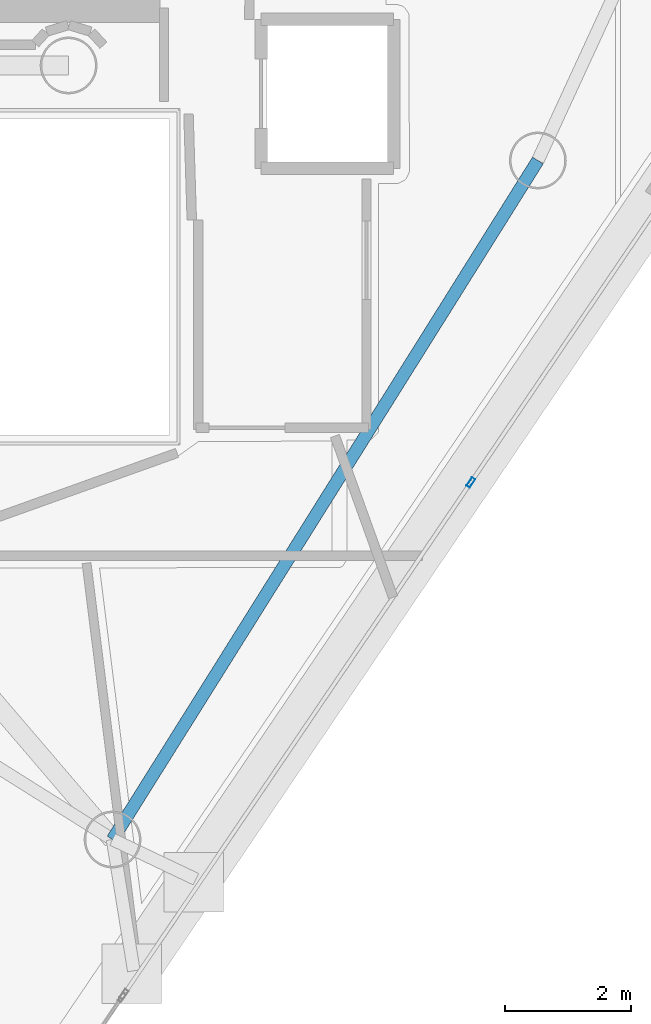
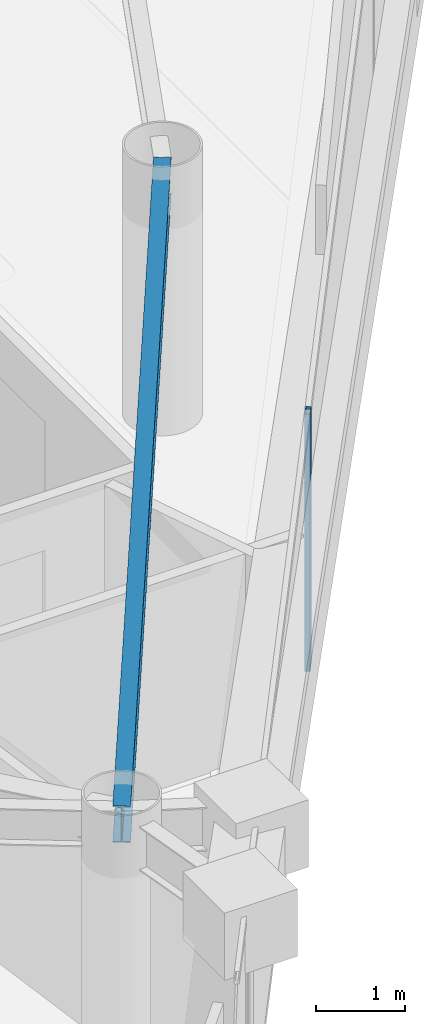
# One storey, part 6 of 23: 1 beam, 1 member, 1 element without a shape of its own.
"""IFC4 building model written with IfcOpenShell, lengths in metres."""

import ifcopenshell
import ifcopenshell.guid

model = None  # the IFC model being written
_history = None  # IfcOwnerHistory: only IFC2X3 demands one
_inside = {}  # id of a spatial element -> (the spatial element, [elements in it])
_under = {}  # id of a project, library or spatial element -> (it, [spatial elements below it])
_declared = {}  # id of a project -> (the project, [libraries it declares])
_typed = {}  # id of a type object -> (the type object, [elements of that type])
_made_of = {}  # id of a material, layer set ... -> (it, [elements and type objects made of it])


def new_model(schema):
    """Start an empty IFC model of exactly this schema.

    Asked for "IFC4X3", IfcOpenShell would pick the latest addendum, in which some entities
    have other attributes; the version numbers below select the first issue.
    IFC2X3 requires an IfcOwnerHistory on every rooted entity: one is made here for all.
    """
    global model, _history
    if schema == "IFC4X3":
        model = ifcopenshell.file(schema_version=(4, 3, 0, 0))
    else:
        model = ifcopenshell.file(schema=schema)
    _inside.clear()
    _under.clear()
    _declared.clear()
    _typed.clear()
    _made_of.clear()
    _history = None
    if model.schema == "IFC2X3":
        org = make("IfcOrganization", Name="unknown")
        user = make(
            "IfcPersonAndOrganization",
            ThePerson=make("IfcPerson", FamilyName="unknown"),
            TheOrganization=org,
        )
        app = make(
            "IfcApplication",
            ApplicationDeveloper=org,
            Version="unknown",
            ApplicationFullName="unknown",
            ApplicationIdentifier="unknown",
        )
        _history = make(
            "IfcOwnerHistory",
            OwningUser=user,
            OwningApplication=app,
            ChangeAction="ADDED",
            CreationDate=0,
        )
    return model


def make(cls, **values):
    """One entity of the class cls with the attributes given. An attribute that is None is left unset."""
    return model.create_entity(
        cls, **{name: value for name, value in values.items() if value is not None}
    )


def rooted(cls, **values):
    """An entity with a GlobalId (a new one), such as an element, a storey or a relation."""
    return make(cls, GlobalId=ifcopenshell.guid.new(), OwnerHistory=_history, **values)


def si_unit(unit_type, name, prefix=None):
    """IfcSIUnit, for example si_unit("LENGTHUNIT", "METRE", prefix="MILLI")."""
    return make("IfcSIUnit", UnitType=unit_type, Prefix=prefix, Name=name)


def assignment(units):
    """IfcUnitAssignment: the units of a project."""
    return None if units is None else make("IfcUnitAssignment", Units=units)


def point(xyz):
    """IfcCartesianPoint."""
    return None if xyz is None else make("IfcCartesianPoint", Coordinates=xyz)


def direction(xyz):
    """IfcDirection."""
    return None if xyz is None else make("IfcDirection", DirectionRatios=xyz)


def frame(location, z_axis=None, x_axis=None):
    """IfcAxis2Placement3D, a coordinate frame: its origin and axes. An axis left out is left unset."""
    return make(
        "IfcAxis2Placement3D",
        Location=point(location),
        Axis=direction(z_axis),
        RefDirection=direction(x_axis),
    )


def frame_2d(location, x_axis=None):
    """IfcAxis2Placement2D, a coordinate frame in the plane: its origin and x axis."""
    return make(
        "IfcAxis2Placement2D", Location=point(location), RefDirection=direction(x_axis)
    )


def origin():
    """The frame at (0, 0, 0) with its axes left unset."""
    return frame((0.0, 0.0, 0.0))


def origin_2d():
    """The frame at (0, 0) in the plane with its x axis left unset."""
    return frame_2d((0.0, 0.0))


def place(relative_to, where):
    """IfcLocalPlacement: puts the frame where relative to a parent placement (None: the world)."""
    return make(
        "IfcLocalPlacement", PlacementRelTo=relative_to, RelativePlacement=where
    )


def context(
    kind, dimensions, precision=None, world=None, true_north=None, identifier=None
):
    """IfcGeometricRepresentationContext, for example the 3D "Model" context."""
    return make(
        "IfcGeometricRepresentationContext",
        ContextIdentifier=identifier,
        ContextType=kind,
        CoordinateSpaceDimension=dimensions,
        Precision=precision,
        WorldCoordinateSystem=world,
        TrueNorth=true_north,
    )


def subcontext(parent, identifier, kind, view, scale=None):
    """IfcGeometricRepresentationSubContext, for example "Body" below "Model"."""
    return make(
        "IfcGeometricRepresentationSubContext",
        ContextIdentifier=identifier,
        ContextType=kind,
        ParentContext=parent,
        TargetScale=scale,
        TargetView=view,
    )


def project(units=None, contexts=None):
    """IfcProject with its units and contexts."""
    return rooted(
        "IfcProject",
        Name="project",
        RepresentationContexts=contexts,
        UnitsInContext=assignment(units),
    )


def spatial(cls, under=None, at=None, **own):
    """A site, building, storey or space (cls), placed at a placement, below another one or the project."""
    s = rooted(cls, ObjectPlacement=at, **own)
    if under is not None:
        _under.setdefault(under.id(), (under, []))[1].append(s)
    return s


def profile(cls, at=None, kind="AREA", **sizes):
    """A parametric profile (cls). Its sizes go by their IFC names, for example OverallWidth=200.0."""
    return make(cls, ProfileType=kind, Position=at, **sizes)


def hollow_rectangle(**sizes):
    """IfcRectangleHollowProfileDef."""
    return profile("IfcRectangleHollowProfileDef", **sizes)


def i_section(**sizes):
    """IfcIShapeProfileDef."""
    return profile("IfcIShapeProfileDef", **sizes)


def extrude(swept, where, along, depth):
    """IfcExtrudedAreaSolid: the profile swept, set in the frame where, extruded along a direction by depth."""
    return make(
        "IfcExtrudedAreaSolid",
        SweptArea=swept,
        Position=where,
        ExtrudedDirection=direction(along),
        Depth=depth,
    )


def shape(context_of_items, identifier, shape_type, items):
    """IfcShapeRepresentation: the items that make up one representation, for example the "Body"."""
    return make(
        "IfcShapeRepresentation",
        ContextOfItems=context_of_items,
        RepresentationIdentifier=identifier,
        RepresentationType=shape_type,
        Items=items,
    )


def material(Name=None, Category=None):
    """IfcMaterial."""
    return make("IfcMaterial", Name=Name, Category=Category)


def layer(
    of_material, thickness, ventilated=None, Name=None, Category=None, Priority=None
):
    """IfcMaterialLayer: one layer of a wall or slab, of a material (None: an air gap)."""
    return make(
        "IfcMaterialLayer",
        Material=of_material,
        LayerThickness=thickness,
        IsVentilated=ventilated,
        Name=Name,
        Category=Category,
        Priority=Priority,
    )


def layer_set(layers, Name=None):
    """IfcMaterialLayerSet."""
    return make("IfcMaterialLayerSet", MaterialLayers=layers, LayerSetName=Name)


def material_profile(
    of_material, cross_section, Name=None, Category=None, Priority=None
):
    """IfcMaterialProfile: a cross section and its material."""
    return make(
        "IfcMaterialProfile",
        Name=Name,
        Material=of_material,
        Profile=cross_section,
        Priority=Priority,
        Category=Category,
    )


def profile_set(profiles, Name=None, composite=None):
    """IfcMaterialProfileSet."""
    return make(
        "IfcMaterialProfileSet",
        Name=Name,
        MaterialProfiles=profiles,
        CompositeProfile=composite,
    )


def made_of(thing, what):
    """Note that an element or type object is made of a material, layer set ...; save() writes the relation."""
    if what is not None:
        _made_of.setdefault(what.id(), (what, []))[1].append(thing)
    return thing


def type_object(cls, material=None, **own):
    """A type object (cls), such as IfcWallType, which elements share."""
    return made_of(rooted(cls, **own), material)


def element(
    cls,
    number,
    at=None,
    inside=None,
    cuts=None,
    type_object=None,
    material=None,
    context=None,
    identifier="Body",
    shape_type=None,
    held_by="IfcProductDefinitionShape",
    body=None,
    shapes=None,
    **own,
):
    """One element of the class cls, such as IfcWall. Its Tag is "e" and its number.

    at: its placement. inside: the storey or other place that contains it. cuts: it is an
    opening in that element (IfcRelVoidsElement). A single representation is given by context,
    identifier, shape_type and body (its items); several are given by shapes. held_by: the class
    of the entity that holds the representations. save() writes the other relations.
    """
    e = rooted(cls, Tag="e%d" % number, ObjectPlacement=at, **own)
    if body is not None:
        shapes = [shape(context, identifier, shape_type, body)]
    if shapes is not None:
        e.Representation = make(held_by, Representations=shapes)
    if inside is not None:
        _inside.setdefault(inside.id(), (inside, []))[1].append(e)
    if cuts is not None:
        rooted(
            "IfcRelVoidsElement", RelatingBuildingElement=cuts, RelatedOpeningElement=e
        )
    if type_object is not None:
        _typed.setdefault(type_object.id(), (type_object, []))[1].append(e)
    return made_of(e, material)


def aggregate(whole, parts):
    """IfcRelAggregates: a whole, such as a stair, and the parts it consists of."""
    return rooted("IfcRelAggregates", RelatingObject=whole, RelatedObjects=parts)


def save(model, path):
    """Write the relations noted so far, then the file.

    IfcRelAggregates (storeys below a building ...), IfcRelContainedInSpatialStructure (elements
    in a storey), IfcRelDefinesByType, IfcRelAssociatesMaterial and IfcRelDeclares: one each for
    every whole, place, type object, material and project.
    """
    for whole, parts in _under.values():
        aggregate(whole, parts)
    for where, things in _inside.values():
        rooted(
            "IfcRelContainedInSpatialStructure",
            RelatedElements=things,
            RelatingStructure=where,
        )
    for kind, things in _typed.values():
        rooted("IfcRelDefinesByType", RelatedObjects=things, RelatingType=kind)
    for what, things in _made_of.values():
        rooted("IfcRelAssociatesMaterial", RelatedObjects=things, RelatingMaterial=what)
    for by, libraries in _declared.values():
        rooted("IfcRelDeclares", RelatingContext=by, RelatedDefinitions=libraries)
    model.write(path)


model = new_model("IFC4")

# Units and contexts
model_context = context("Model", 3, precision=1e-05, world=origin(), true_north=direction((0.0, 1.0)))
body_context = subcontext(model_context, "Body", "Model", "MODEL_VIEW")
ifc_project = project(units=[si_unit("LENGTHUNIT", "METRE"), si_unit("AREAUNIT", "SQUARE_METRE"), si_unit("VOLUMEUNIT", "CUBIC_METRE"), si_unit("PLANEANGLEUNIT", "RADIAN"), si_unit("MASSUNIT", "GRAM", prefix="KILO")], contexts=[model_context])

# Site, building, storey
site_placement = place(None, origin())
site = spatial("IfcSite", under=ifc_project, at=site_placement, CompositionType="ELEMENT")
building_placement = place(site_placement, origin())
building = spatial("IfcBuilding", under=site, at=building_placement, Name="Qianvela Tower", CompositionType="ELEMENT")
storey_placement = place(building_placement, frame((0.0, 0.0, 284.300048828125)))
storey = spatial("IfcBuildingStorey", under=building, at=storey_placement, Name="L73", CompositionType="ELEMENT", Elevation=284.300048828125)

# Beam
ifc_material_1 = material(Name="Steel Q355B", Category="steel")
ifc_material_profile_1 = material_profile(ifc_material_1, i_section(OverallWidth=0.199951171875, OverallDepth=0.5, WebThickness=0.010009765625, FlangeThickness=0.01611328125, at=origin_2d()), Name="HN500x200x10x16")
ifc_profile_set_1 = profile_set([ifc_material_profile_1], Name="Steel Q355B")
beam_type = type_object("IfcBeamType", Name="BM-HN500-GIRD", PredefinedType="BEAM", material=ifc_profile_set_1)
beam_placement = place(storey_placement, frame((39.095947265625, 11.587890625, 3.26806640625), z_axis=(0.530840654868, 0.847471650935, 0.0), x_axis=(-0.847471650935, 0.530840654868, 0.0)))
element("IfcBeam", 1, at=beam_placement, inside=storey, type_object=beam_type, Name="L73 Perimeter Ring Spandrel Girder 5", PredefinedType="BEAM", context=body_context, shape_type="SweptSolid", body=[
    extrude(i_section(OverallWidth=0.199951171875, OverallDepth=0.5, WebThickness=0.010009765625, FlangeThickness=0.01611328125, at=origin_2d()), origin(), (0.0, 0.0, 1.0), 12.693115234375),
])

# Curtain wall, member
ifc_material_2 = material(Name="Anodised Architectural Aluminium and Insulated Spandrel Panel", Category="aluminium")
ifc_layer = layer(ifc_material_2, 0.179931640625)
ifc_layer_set = layer_set([ifc_layer], Name="Anodised Architectural Aluminium and Insulated Spandrel Panel")
curtain_wall_type = type_object("IfcCurtainWallType", Name="CW-BRACEBAY", PredefinedType="USERDEFINED", material=ifc_layer_set)
curtain_wall_placement = place(storey_placement, origin())
curtain_wall = element("IfcCurtainWall", 2, at=curtain_wall_placement, inside=storey, type_object=curtain_wall_type, Name="L73 CW-BRACEBAY Curtain Wall 06B", ObjectType="CURTAIN_WALL_SYSTEM", PredefinedType="USERDEFINED")
ifc_material_3 = material(Name="Anodised Architectural Aluminium 6063-T6", Category="aluminium")
ifc_material_profile_2 = material_profile(ifc_material_3, hollow_rectangle(XDim=0.06494140625, YDim=0.159912109375, WallThickness=0.0048828125, at=origin_2d()), Name="ALU-MULL-65x160")
ifc_profile_set_2 = profile_set([ifc_material_profile_2], Name="Anodised Architectural Aluminium 6063-T6")
member_type = type_object("IfcMemberType", Name="CW-BRACEBAY-MULL", PredefinedType="MULLION", material=ifc_profile_set_2)
member_placement = place(storey_placement, frame((44.772216796875, 17.243408203125, 0.0), z_axis=(0.0, 0.0, 1.0), x_axis=(-0.827794797098, 0.561030991922, 0.0)))
member = element("IfcMember", 3, at=member_placement, type_object=member_type, Name="CW-9 mullion 2", PredefinedType="MULLION", context=body_context, shape_type="SweptSolid", body=[
    extrude(hollow_rectangle(XDim=0.06494140625, YDim=0.159912109375, WallThickness=0.0048828125, at=origin_2d()), origin(), (0.0, 0.0, 1.0), 3.52001953125),
])
aggregate(curtain_wall, [member])

save(model, "model.ifc")
